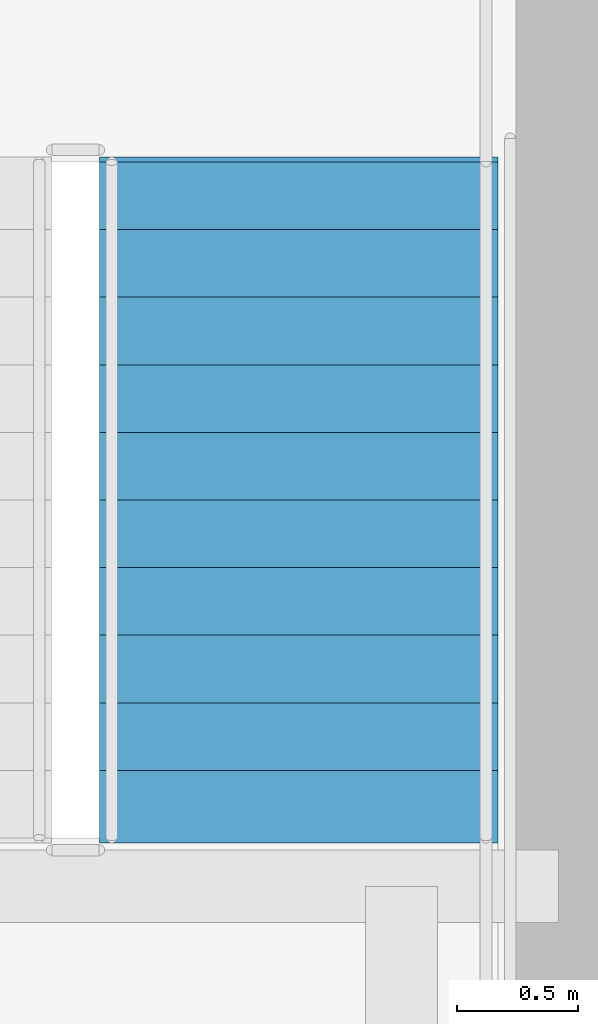
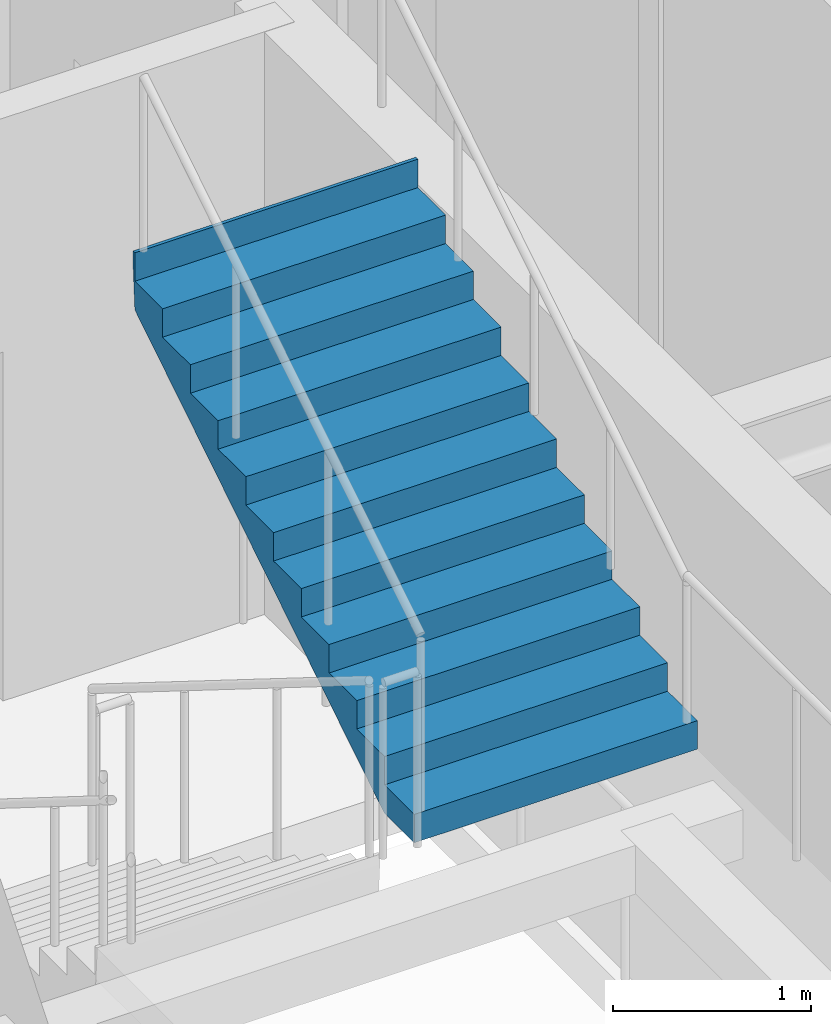
# One storey, part 32 of 37: 1 stair flight, 1 element without a shape of its own.
"""IFC4 building model written with IfcOpenShell, lengths in metres."""

from ifc_helpers import new_model, si_unit, direction, frame, origin, place, context, subcontext, project, spatial, polygons, material, type_object, element, aggregate, save


model = new_model("IFC4")

# Units and contexts
model_context = context("Model", 3, precision=1e-05, world=origin(), true_north=direction((0.0, 1.0)))
body_context = subcontext(model_context, "Body", "Model", "MODEL_VIEW")
ifc_project = project(units=[si_unit("LENGTHUNIT", "METRE"), si_unit("AREAUNIT", "SQUARE_METRE"), si_unit("VOLUMEUNIT", "CUBIC_METRE"), si_unit("PLANEANGLEUNIT", "RADIAN"), si_unit("MASSUNIT", "GRAM", prefix="KILO")], contexts=[model_context])

# Site, building, storey
site_placement = place(None, origin())
site = spatial("IfcSite", under=ifc_project, at=site_placement, CompositionType="ELEMENT")
building_placement = place(site_placement, origin())
building = spatial("IfcBuilding", under=site, at=building_placement, Name="Serunith Strait Residences", CompositionType="ELEMENT")
storey_placement = place(building_placement, frame((0.0, 0.0, 260.5)))
storey = spatial("IfcBuildingStorey", under=building, at=storey_placement, Name="L65", CompositionType="ELEMENT", Elevation=260.5)

# Stair, stair flight
ifc_material = material(Name="Concrete C50/60", Category="concrete")
stair_type = type_object("IfcStairType", Name="STR-CORE-2", PredefinedType="HALF_TURN_STAIR", material=ifc_material)
stair_placement = place(storey_placement, origin())
stair = element("IfcStair", 1, at=stair_placement, inside=storey, type_object=stair_type, Name="L65 Protected Escape Stair ST-2", PredefinedType="HALF_TURN_STAIR")
stair_flight_type = type_object("IfcStairFlightType", Name="FLT-CORE-2", PredefinedType="STRAIGHT", material=ifc_material)
stair_flight_placement = place(storey_placement, frame((40.324951171875, 20.570068359375, 1.925048828125), z_axis=(0.0, 0.0, 1.0), x_axis=(0.0, 1.0, 0.0)))
stair_flight = element("IfcStairFlight", 2, at=stair_flight_placement, type_object=stair_flight_type, Name="ST-2 flight 2", NumberOfRisers=11, NumberOfTreads=10, PredefinedType="STRAIGHT", RiserHeight=0.175, TreadLength=0.28, context=body_context, shape_type="Tessellation", body=[
    polygons([(-0.02001953125, -0.824951171875, 0.0), (-0.02001953125, -0.824951171875, 0.175048828125), (0.280029296875, -0.824951171875, 0.175048828125), (0.280029296875, -0.824951171875, 0.35009765625), (0.56005859375, -0.824951171875, 0.35009765625), (0.56005859375, -0.824951171875, 0.52490234375), (0.840087890625, -0.824951171875, 0.52490234375), (0.840087890625, -0.824951171875, 0.699951171875), (1.1201171875, -0.824951171875, 0.699951171875), (1.1201171875, -0.824951171875, 0.875), (1.39990234375, -0.824951171875, 0.875), (1.39990234375, -0.824951171875, 1.050048828125), (1.679931640625, -0.824951171875, 1.050048828125), (1.679931640625, -0.824951171875, 1.22509765625), (1.9599609375, -0.824951171875, 1.22509765625), (1.9599609375, -0.824951171875, 1.39990234375), (2.239990234375, -0.824951171875, 1.39990234375), (2.239990234375, -0.824951171875, 1.574951171875), (2.52001953125, -0.824951171875, 1.574951171875), (2.52001953125, -0.824951171875, 1.75), (2.800048828125, -0.824951171875, 1.75), (2.800048828125, -0.824951171875, 1.925048828125), (2.820068359375, -0.824951171875, 1.925048828125), (2.820068359375, -0.824951171875, 1.864990234375), (2.800048828125, -0.824951171875, 1.5732421875), (0.28271484375, -0.824951171875, 0.0), (-0.02001953125, -0.41259765625, 0.0), (-0.02001953125, -0.41259765625, 0.175048828125), (0.280029296875, -0.41259765625, 0.175048828125), (0.280029296875, -0.41259765625, 0.35009765625), (0.56005859375, -0.41259765625, 0.35009765625), (0.56005859375, -0.41259765625, 0.52490234375), (0.840087890625, -0.41259765625, 0.52490234375), (0.840087890625, -0.41259765625, 0.699951171875), (1.1201171875, -0.41259765625, 0.699951171875), (1.1201171875, -0.41259765625, 0.875), (1.39990234375, -0.41259765625, 0.875), (1.39990234375, -0.41259765625, 1.050048828125), (1.679931640625, -0.41259765625, 1.050048828125), (1.679931640625, -0.41259765625, 1.22509765625), (1.9599609375, -0.41259765625, 1.22509765625), (1.9599609375, -0.41259765625, 1.39990234375), (2.239990234375, -0.41259765625, 1.39990234375), (2.239990234375, -0.41259765625, 1.574951171875), (2.52001953125, -0.41259765625, 1.574951171875), (2.52001953125, -0.41259765625, 1.75), (2.800048828125, -0.41259765625, 1.75), (2.800048828125, -0.41259765625, 1.925048828125), (2.820068359375, -0.41259765625, 1.925048828125), (2.820068359375, -0.41259765625, 1.864990234375), (2.800048828125, -0.41259765625, 1.5732421875), (0.28271484375, -0.41259765625, 0.0), (-0.02001953125, 0.0, 0.0), (-0.02001953125, 0.0, 0.175048828125), (0.280029296875, 0.0, 0.175048828125), (0.280029296875, 0.0, 0.35009765625), (0.56005859375, 0.0, 0.35009765625), (0.56005859375, 0.0, 0.52490234375), (0.840087890625, 0.0, 0.52490234375), (0.840087890625, 0.0, 0.699951171875), (1.1201171875, 0.0, 0.699951171875), (1.1201171875, 0.0, 0.875), (1.39990234375, 0.0, 0.875), (1.39990234375, 0.0, 1.050048828125), (1.679931640625, 0.0, 1.050048828125), (1.679931640625, 0.0, 1.22509765625), (1.9599609375, 0.0, 1.22509765625), (1.9599609375, 0.0, 1.39990234375), (2.239990234375, 0.0, 1.39990234375), (2.239990234375, 0.0, 1.574951171875), (2.52001953125, 0.0, 1.574951171875), (2.52001953125, 0.0, 1.75), (2.800048828125, 0.0, 1.75), (2.800048828125, 0.0, 1.925048828125), (2.820068359375, 0.0, 1.925048828125), (2.820068359375, 0.0, 1.864990234375), (2.800048828125, 0.0, 1.5732421875), (0.28271484375, 0.0, 0.0), (-0.02001953125, 0.41259765625, 0.0), (-0.02001953125, 0.41259765625, 0.175048828125), (0.280029296875, 0.41259765625, 0.175048828125), (0.280029296875, 0.41259765625, 0.35009765625), (0.56005859375, 0.41259765625, 0.35009765625), (0.56005859375, 0.41259765625, 0.52490234375), (0.840087890625, 0.41259765625, 0.52490234375), (0.840087890625, 0.41259765625, 0.699951171875), (1.1201171875, 0.41259765625, 0.699951171875), (1.1201171875, 0.41259765625, 0.875), (1.39990234375, 0.41259765625, 0.875), (1.39990234375, 0.41259765625, 1.050048828125), (1.679931640625, 0.41259765625, 1.050048828125), (1.679931640625, 0.41259765625, 1.22509765625), (1.9599609375, 0.41259765625, 1.22509765625), (1.9599609375, 0.41259765625, 1.39990234375), (2.239990234375, 0.41259765625, 1.39990234375), (2.239990234375, 0.41259765625, 1.574951171875), (2.52001953125, 0.41259765625, 1.574951171875), (2.52001953125, 0.41259765625, 1.75), (2.800048828125, 0.41259765625, 1.75), (2.800048828125, 0.41259765625, 1.925048828125), (2.820068359375, 0.41259765625, 1.925048828125), (2.820068359375, 0.41259765625, 1.864990234375), (2.800048828125, 0.41259765625, 1.5732421875), (0.28271484375, 0.41259765625, 0.0), (-0.02001953125, 0.824951171875, 0.0), (-0.02001953125, 0.824951171875, 0.175048828125), (0.280029296875, 0.824951171875, 0.175048828125), (0.280029296875, 0.824951171875, 0.35009765625), (0.56005859375, 0.824951171875, 0.35009765625), (0.56005859375, 0.824951171875, 0.52490234375), (0.840087890625, 0.824951171875, 0.52490234375), (0.840087890625, 0.824951171875, 0.699951171875), (1.1201171875, 0.824951171875, 0.699951171875), (1.1201171875, 0.824951171875, 0.875), (1.39990234375, 0.824951171875, 0.875), (1.39990234375, 0.824951171875, 1.050048828125), (1.679931640625, 0.824951171875, 1.050048828125), (1.679931640625, 0.824951171875, 1.22509765625), (1.9599609375, 0.824951171875, 1.22509765625), (1.9599609375, 0.824951171875, 1.39990234375), (2.239990234375, 0.824951171875, 1.39990234375), (2.239990234375, 0.824951171875, 1.574951171875), (2.52001953125, 0.824951171875, 1.574951171875), (2.52001953125, 0.824951171875, 1.75), (2.800048828125, 0.824951171875, 1.75), (2.800048828125, 0.824951171875, 1.925048828125), (2.820068359375, 0.824951171875, 1.925048828125), (2.820068359375, 0.824951171875, 1.864990234375), (2.800048828125, 0.824951171875, 1.5732421875), (0.28271484375, 0.824951171875, 0.0)], [[[1, 2, 28, 27]], [[2, 3, 29, 28]], [[3, 4, 30, 29]], [[4, 5, 31, 30]], [[5, 6, 32, 31]], [[6, 7, 33, 32]], [[7, 8, 34, 33]], [[8, 9, 35, 34]], [[9, 10, 36, 35]], [[10, 11, 37, 36]], [[11, 12, 38, 37]], [[12, 13, 39, 38]], [[13, 14, 40, 39]], [[14, 15, 41, 40]], [[15, 16, 42, 41]], [[16, 17, 43, 42]], [[17, 18, 44, 43]], [[18, 19, 45, 44]], [[19, 20, 46, 45]], [[20, 21, 47, 46]], [[21, 22, 48, 47]], [[22, 23, 49, 48]], [[23, 24, 50, 49]], [[24, 25, 51, 50]], [[25, 26, 52, 51]], [[26, 1, 27, 52]], [[27, 28, 54, 53]], [[28, 29, 55, 54]], [[29, 30, 56, 55]], [[30, 31, 57, 56]], [[31, 32, 58, 57]], [[32, 33, 59, 58]], [[33, 34, 60, 59]], [[34, 35, 61, 60]], [[35, 36, 62, 61]], [[36, 37, 63, 62]], [[37, 38, 64, 63]], [[38, 39, 65, 64]], [[39, 40, 66, 65]], [[40, 41, 67, 66]], [[41, 42, 68, 67]], [[42, 43, 69, 68]], [[43, 44, 70, 69]], [[44, 45, 71, 70]], [[45, 46, 72, 71]], [[46, 47, 73, 72]], [[47, 48, 74, 73]], [[48, 49, 75, 74]], [[49, 50, 76, 75]], [[50, 51, 77, 76]], [[51, 52, 78, 77]], [[52, 27, 53, 78]], [[53, 54, 80, 79]], [[54, 55, 81, 80]], [[55, 56, 82, 81]], [[56, 57, 83, 82]], [[57, 58, 84, 83]], [[58, 59, 85, 84]], [[59, 60, 86, 85]], [[60, 61, 87, 86]], [[61, 62, 88, 87]], [[62, 63, 89, 88]], [[63, 64, 90, 89]], [[64, 65, 91, 90]], [[65, 66, 92, 91]], [[66, 67, 93, 92]], [[67, 68, 94, 93]], [[68, 69, 95, 94]], [[69, 70, 96, 95]], [[70, 71, 97, 96]], [[71, 72, 98, 97]], [[72, 73, 99, 98]], [[73, 74, 100, 99]], [[74, 75, 101, 100]], [[75, 76, 102, 101]], [[76, 77, 103, 102]], [[77, 78, 104, 103]], [[78, 53, 79, 104]], [[79, 80, 106, 105]], [[80, 81, 107, 106]], [[81, 82, 108, 107]], [[82, 83, 109, 108]], [[83, 84, 110, 109]], [[84, 85, 111, 110]], [[85, 86, 112, 111]], [[86, 87, 113, 112]], [[87, 88, 114, 113]], [[88, 89, 115, 114]], [[89, 90, 116, 115]], [[90, 91, 117, 116]], [[91, 92, 118, 117]], [[92, 93, 119, 118]], [[93, 94, 120, 119]], [[94, 95, 121, 120]], [[95, 96, 122, 121]], [[96, 97, 123, 122]], [[97, 98, 124, 123]], [[98, 99, 125, 124]], [[99, 100, 126, 125]], [[100, 101, 127, 126]], [[101, 102, 128, 127]], [[102, 103, 129, 128]], [[103, 104, 130, 129]], [[104, 79, 105, 130]], [[26, 25, 24, 23, 22, 21, 20, 19, 18, 17, 16, 15, 14, 13, 12, 11, 10, 9, 8, 7, 6, 5, 4, 3, 2, 1]], [[105, 106, 107, 108, 109, 110, 111, 112, 113, 114, 115, 116, 117, 118, 119, 120, 121, 122, 123, 124, 125, 126, 127, 128, 129, 130]]], closed=True),
])
aggregate(stair, [stair_flight])

save(model, "model.ifc")
